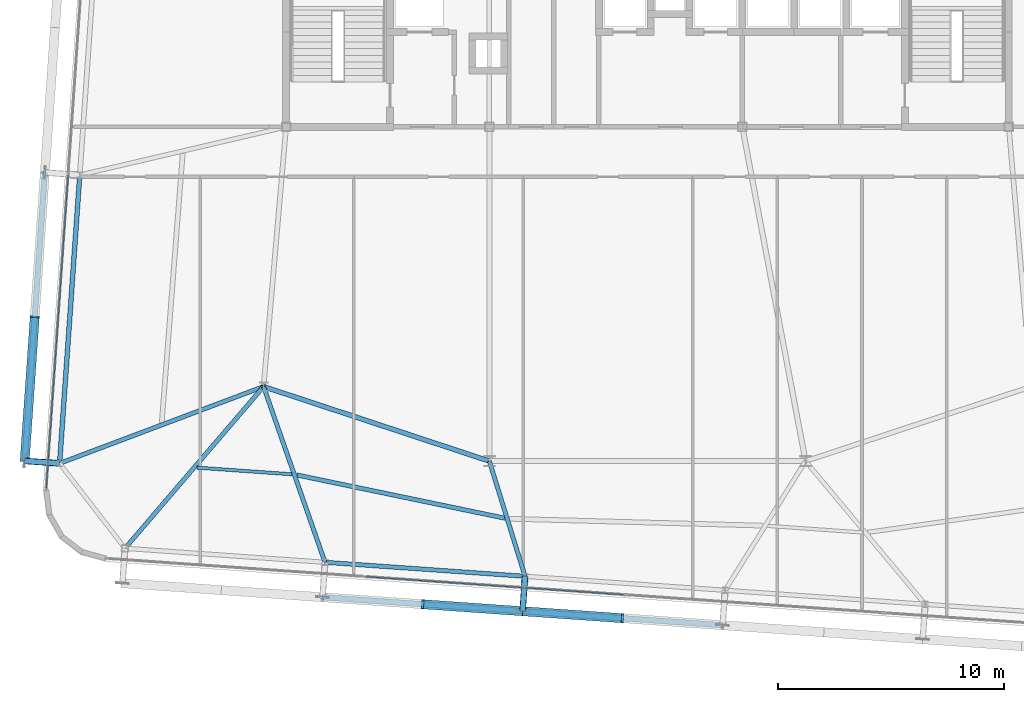
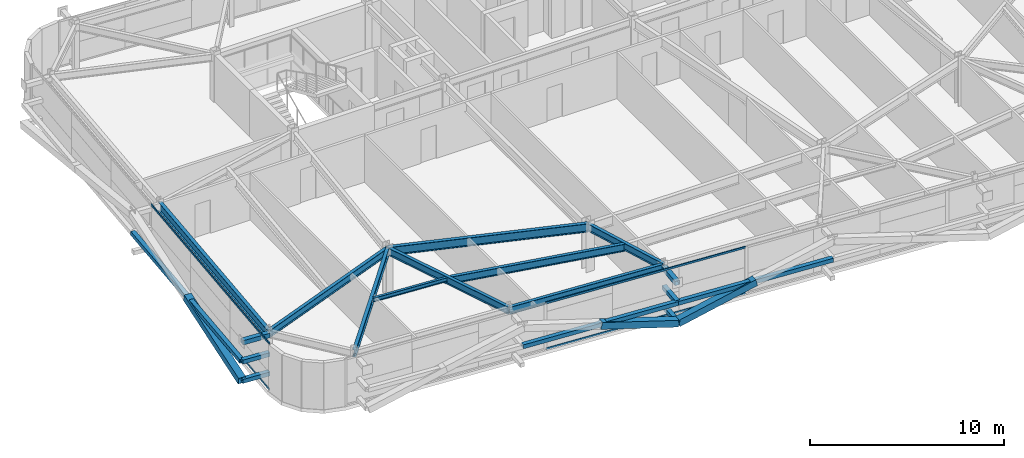
# One storey, part 8 of 39: 16 members, 9 beams, 2 elements without a shape of their own.
"""IFC4 building model written with IfcOpenShell, lengths in metres."""

from ifc_helpers import new_model, si_unit, direction, frame, origin, origin_2d, place, context, subcontext, project, spatial, hollow_rectangle, i_section, extrude, source, transform, mapped, material, layer, layer_set, material_profile, profile_set, type_object, element, aggregate, save


model = new_model("IFC4")

# Units and contexts
model_context = context("Model", 3, precision=1e-05, world=origin(), true_north=direction((0.0, 1.0)))
body_context = subcontext(model_context, "Body", "Model", "MODEL_VIEW")
ifc_project = project(units=[si_unit("LENGTHUNIT", "METRE"), si_unit("AREAUNIT", "SQUARE_METRE"), si_unit("VOLUMEUNIT", "CUBIC_METRE"), si_unit("PLANEANGLEUNIT", "RADIAN"), si_unit("MASSUNIT", "GRAM", prefix="KILO")], contexts=[model_context])

# Site, building, storey
site_placement = place(None, origin())
site = spatial("IfcSite", under=ifc_project, at=site_placement, CompositionType="ELEMENT")
building_placement = place(site_placement, origin())
building = spatial("IfcBuilding", under=site, at=building_placement, Name="Taldren Reach Tower", CompositionType="ELEMENT")
storey_placement = place(building_placement, frame((0.0, 0.0, 133.0)))
storey = spatial("IfcBuildingStorey", under=building, at=storey_placement, Name="L40", CompositionType="ELEMENT", Elevation=133.0)

# Beam
ifc_material_1 = material(Name="Steel Gr 350 (350PLUS)", Category="steel")
ifc_material_profile_1 = material_profile(ifc_material_1, i_section(OverallWidth=0.208984375, OverallDepth=0.532958984375, WebThickness=0.01025390625, FlangeThickness=0.015625, at=origin_2d()), Name="530UB92.4")
ifc_profile_set_1 = profile_set([ifc_material_profile_1], Name="Steel Gr 350 (350PLUS)")
beam_type_1 = type_object("IfcBeamType", Name="BM-UB530A", PredefinedType="BEAM", material=ifc_profile_set_1)
shared_shape_1 = source(origin(), body_context, "Body", "SweptSolid", [
    extrude(i_section(OverallWidth=0.208984375, OverallDepth=0.532958984375, WebThickness=0.01025390625, FlangeThickness=0.015625, at=origin_2d()), origin(), (0.0, 0.0, 1.0), 10.530517578125),
])
beam_1_placement = place(storey_placement, frame((18.0, 12.5, 2.66357421875), z_axis=(0.949627269203, -0.313381635689, 0.0), x_axis=(0.313381635689, 0.949627269203, 0.0)))
element("IfcBeam", 1, at=beam_1_placement, inside=storey, type_object=beam_type_1, Name="Core-spine girder L40-SP10", PredefinedType="BEAM", context=body_context, shape_type="MappedRepresentation", body=[
    mapped(shared_shape_1, transform((0.0, 0.0, 0.0), scale=1.0)),
])

# Members
ifc_material_2 = material(Name="Steel Gr 450 (C450L0)", Category="steel")
ifc_material_profile_2 = material_profile(ifc_material_2, hollow_rectangle(XDim=0.27490234375, YDim=0.27490234375, WallThickness=0.00927734375, at=origin_2d()), Name="275x275x9.3SHS")
ifc_profile_set_2 = profile_set([ifc_material_profile_2], Name="Steel Gr 450 (C450L0)")
member_type_1 = type_object("IfcMemberType", Name="MB-TIE273", PredefinedType="STRUT", material=ifc_profile_set_2)
shared_shape_2 = source(origin(), body_context, "Body", "SweptSolid", [
    extrude(hollow_rectangle(XDim=0.27490234375, YDim=0.27490234375, WallThickness=0.00927734375, at=origin_2d()), origin(), (0.0, 0.0, 1.0), 1.5498046875),
])
member_1_placement = place(storey_placement, frame((8.96875, 9.099609375, 2.64990234375), z_axis=(-0.997573320145, 0.069623781384, 0.0), x_axis=(-0.069623781384, -0.997573320145, 0.0)))
element("IfcMember", 2, at=member_1_placement, inside=storey, type_object=member_type_1, Name="Exoskeleton diaphragm tie strut B3-W1 L40", PredefinedType="STRUT", context=body_context, shape_type="MappedRepresentation", body=[
    mapped(shared_shape_2, transform((0.0, 0.0, 0.0), scale=1.0)),
])
ifc_material_3 = material(Name="Steel Gr 350 (C350L0)", Category="steel")
ifc_material_profile_3 = material_profile(ifc_material_3, hollow_rectangle(XDim=0.25, YDim=0.25, WallThickness=0.010009765625, at=origin_2d()), Name="250x250x10.0SHS")
ifc_profile_set_3 = profile_set([ifc_material_profile_3], Name="Steel Gr 350 (C350L0)")
member_type_2 = type_object("IfcMemberType", Name="MB-POST250", PredefinedType="POST", material=ifc_profile_set_3)
shared_shape_3 = source(origin(), body_context, "Body", "SweptSolid", [
    extrude(hollow_rectangle(XDim=0.25, YDim=0.25, WallThickness=0.010009765625, at=origin_2d()), origin(), (0.0, 0.0, 1.0), 1.5498046875),
])
for number, where, z_axis, x_axis, name in (
    (3, (8.96875, 9.099609375, 0.219970703125), (-0.997573320145, 0.069623781384, 0.0), (-0.069623781384, -0.997573320145, 0.0), "Exoskeleton base diaphragm tie strut B3-W1 L40"),
    (4, (8.96875, 9.099609375, 1.43505859375), (-0.997573320145, 0.069623781384, 0.0), (-0.069623781384, -0.997573320145, 0.0), "Exoskeleton mid-tier diaphragm tie B3-W1 L40"),
):
    element("IfcMember", number, at=place(storey_placement, frame(where, z_axis=z_axis, x_axis=x_axis)), inside=storey, type_object=member_type_2, Name=name, PredefinedType="POST", context=body_context, shape_type="MappedRepresentation", body=[
        mapped(shared_shape_3, transform((0.0, 0.0, 0.0), scale=1.0)),
    ])
shared_shape_4 = source(origin(), body_context, "Body", "SweptSolid", [
    extrude(hollow_rectangle(XDim=0.27490234375, YDim=0.27490234375, WallThickness=0.00927734375, at=origin_2d()), origin(), (0.0, 0.0, 1.0), 1.550048828125),
])
member_2_placement = place(storey_placement, frame((29.580322265625, 4.099609375, 2.64990234375), z_axis=(-0.06976957191, -0.99756313426, 0.0), x_axis=(0.99756313426, -0.06976957191, 0.0)))
element("IfcMember", 5, at=member_2_placement, inside=storey, type_object=member_type_1, Name="Exoskeleton diaphragm tie strut B3-S3 L40", PredefinedType="STRUT", context=body_context, shape_type="MappedRepresentation", body=[
    mapped(shared_shape_4, transform((0.0, 0.0, 0.0), scale=1.0)),
])
shared_shape_5 = source(origin(), body_context, "Body", "SweptSolid", [
    extrude(hollow_rectangle(XDim=0.25, YDim=0.25, WallThickness=0.010009765625, at=origin_2d()), origin(), (0.0, 0.0, 1.0), 1.550048828125),
])
for number, where, z_axis, x_axis, name in (
    (6, (29.580322265625, 4.099609375, 0.219970703125), (-0.06976957191, -0.99756313426, 0.0), (0.99756313426, -0.06976957191, 0.0), "Exoskeleton base diaphragm tie strut B3-S3 L40"),
    (7, (29.580322265625, 4.099609375, 1.43505859375), (-0.06976957191, -0.99756313426, 0.0), (0.99756313426, -0.06976957191, 0.0), "Exoskeleton mid-tier diaphragm tie B3-S3 L40"),
):
    element("IfcMember", number, at=place(storey_placement, frame(where, z_axis=z_axis, x_axis=x_axis)), inside=storey, type_object=member_type_2, Name=name, PredefinedType="POST", context=body_context, shape_type="MappedRepresentation", body=[
        mapped(shared_shape_5, transform((0.0, 0.0, 0.0), scale=1.0)),
    ])

# Beams
ifc_material_profile_4 = material_profile(ifc_material_1, i_section(OverallWidth=0.18994140625, OverallDepth=0.4541015625, WebThickness=0.008544921875, FlangeThickness=0.0126953125, at=origin_2d()), Name="460UB67.1")
ifc_profile_set_4 = profile_set([ifc_material_profile_4], Name="Steel Gr 350 (350PLUS)")
beam_type_2 = type_object("IfcBeamType", Name="SP-UB460B", PredefinedType="SPANDREL", material=ifc_profile_set_4)
shared_shape_6 = source(origin(), body_context, "Body", "SweptSolid", [
    extrude(i_section(OverallWidth=0.18994140625, OverallDepth=0.4541015625, WebThickness=0.008544921875, FlangeThickness=0.0126953125, at=origin_2d()), origin(), (0.0, 0.0, 1.0), 8.880126953125),
])
beam_2_placement = place(storey_placement, frame((20.721923828125, 4.718994140625, 2.702880859375), z_axis=(0.997564479639, -0.069750333063, 0.0), x_axis=(0.069750333063, 0.997564479639, 0.0)))
element("IfcBeam", 8, at=beam_2_placement, inside=storey, type_object=beam_type_2, Name="Perimeter spandrel B3 S2-S3 L40", PredefinedType="SPANDREL", context=body_context, shape_type="MappedRepresentation", body=[
    mapped(shared_shape_6, transform((0.0, 0.0, 0.0), scale=1.0)),
])
ifc_material_profile_5 = material_profile(ifc_material_1, i_section(OverallWidth=0.208984375, OverallDepth=0.528076171875, WebThickness=0.009521484375, FlangeThickness=0.01318359375, at=origin_2d()), Name="530UB82.0")
ifc_profile_set_5 = profile_set([ifc_material_profile_5], Name="Steel Gr 350 (350PLUS)")
beam_type_3 = type_object("IfcBeamType", Name="SP-UB530B", PredefinedType="SPANDREL", material=ifc_profile_set_5)
shared_shape_7 = source(origin(), body_context, "Body", "SweptSolid", [
    extrude(i_section(OverallWidth=0.208984375, OverallDepth=0.528076171875, WebThickness=0.009521484375, FlangeThickness=0.01318359375, at=origin_2d()), origin(), (0.0, 0.0, 1.0), 12.800048828125),
])
beam_3_placement = place(storey_placement, frame((9.86181640625, 21.868408203125, 2.666015625), z_axis=(-0.069770857464, -0.997563044348, 0.0), x_axis=(0.997563044348, -0.069770857464, 0.0)))
element("IfcBeam", 9, at=beam_3_placement, inside=storey, type_object=beam_type_3, Name="Perimeter spandrel B3 W2-W1 L40", PredefinedType="SPANDREL", context=body_context, shape_type="MappedRepresentation", body=[
    mapped(shared_shape_7, transform((0.0, 0.0, 0.0), scale=1.0)),
])
ifc_material_profile_6 = material_profile(ifc_material_1, i_section(OverallWidth=0.19091796875, OverallDepth=0.4599609375, WebThickness=0.010009765625, FlangeThickness=0.01611328125, at=origin_2d()), Name="460UB82.1")
ifc_profile_set_6 = profile_set([ifc_material_profile_6], Name="Steel Gr 350 (350PLUS)")
beam_type_4 = type_object("IfcBeamType", Name="BM-UB460A", PredefinedType="BEAM", material=ifc_profile_set_6)
shared_shape_8 = source(origin(), body_context, "Body", "SweptSolid", [
    extrude(i_section(OverallWidth=0.19091796875, OverallDepth=0.4599609375, WebThickness=0.010009765625, FlangeThickness=0.01611328125, at=origin_2d()), origin(), (0.0, 0.0, 1.0), 9.43115234375),
])
beam_4_placement = place(storey_placement, frame((18.0, 12.5, 2.699951171875), z_axis=(-0.650665584965, -0.759364402999, 0.0), x_axis=(0.759364402999, -0.650665584965, 0.0)))
element("IfcBeam", 10, at=beam_4_placement, inside=storey, type_object=beam_type_4, Name="Primary floor girder B3-S1 L40", PredefinedType="BEAM", context=body_context, shape_type="MappedRepresentation", body=[
    mapped(shared_shape_8, transform((0.0, 0.0, 0.0), scale=1.0)),
])
shared_shape_9 = source(origin(), body_context, "Body", "SweptSolid", [
    extrude(i_section(OverallWidth=0.19091796875, OverallDepth=0.4599609375, WebThickness=0.010009765625, FlangeThickness=0.01611328125, at=origin_2d()), origin(), (0.0, 0.0, 1.0), 8.243408203125),
])
beam_5_placement = place(storey_placement, frame((18.0, 12.5, 2.699951171875), z_axis=(0.330196070713, -0.943912366105, 0.0), x_axis=(0.943912366105, 0.330196070713, 0.0)))
element("IfcBeam", 11, at=beam_5_placement, inside=storey, type_object=beam_type_4, Name="Primary floor girder B3-S2 L40", PredefinedType="BEAM", context=body_context, shape_type="MappedRepresentation", body=[
    mapped(shared_shape_9, transform((0.0, 0.0, 0.0), scale=1.0)),
])
shared_shape_10 = source(origin(), body_context, "Body", "SweptSolid", [
    extrude(i_section(OverallWidth=0.19091796875, OverallDepth=0.4599609375, WebThickness=0.010009765625, FlangeThickness=0.01611328125, at=origin_2d()), origin(), (0.0, 0.0, 1.0), 5.339599609375),
])
beam_6_placement = place(storey_placement, frame((28.0, 9.199951171875, 2.699951171875), z_axis=(0.295964865482, -0.955198826632, 0.0), x_axis=(0.955198826632, 0.295964865482, 0.0)))
element("IfcBeam", 12, at=beam_6_placement, inside=storey, type_object=beam_type_4, Name="Primary floor girder B3-S3 L40", PredefinedType="BEAM", context=body_context, shape_type="MappedRepresentation", body=[
    mapped(shared_shape_10, transform((0.0, 0.0, 0.0), scale=1.0)),
])
shared_shape_11 = source(origin(), body_context, "Body", "SweptSolid", [
    extrude(i_section(OverallWidth=0.19091796875, OverallDepth=0.4599609375, WebThickness=0.010009765625, FlangeThickness=0.01611328125, at=origin_2d()), origin(), (0.0, 0.0, 1.0), 9.650146484375),
])
beam_7_placement = place(storey_placement, frame((18.0, 12.5, 2.699951171875), z_axis=(-0.935862573906, -0.352365212191, 0.0), x_axis=(0.352365212191, -0.935862573906, 0.0)))
element("IfcBeam", 13, at=beam_7_placement, inside=storey, type_object=beam_type_4, Name="Primary floor girder B3-W1 L40", PredefinedType="BEAM", context=body_context, shape_type="MappedRepresentation", body=[
    mapped(shared_shape_11, transform((0.0, 0.0, 0.0), scale=1.0)),
])
ifc_material_4 = material(Name="Steel Gr 300 (300PLUS, 300 MPa)", Category="steel")
ifc_material_profile_7 = material_profile(ifc_material_4, i_section(OverallWidth=0.14599609375, OverallDepth=0.256103515625, WebThickness=0.00634765625, FlangeThickness=0.010986328125, at=origin_2d()), Name="250UB37.3")
ifc_profile_set_7 = profile_set([ifc_material_profile_7], Name="Steel Gr 300 (300PLUS, 300 MPa)")
beam_type_5 = type_object("IfcBeamType", Name="JS-UB250", PredefinedType="JOIST", material=ifc_profile_set_7)
shared_shape_12 = source(origin(), body_context, "Body", "SweptSolid", [
    extrude(i_section(OverallWidth=0.14599609375, OverallDepth=0.256103515625, WebThickness=0.00634765625, FlangeThickness=0.010986328125, at=origin_2d()), origin(), (0.0, 0.0, 1.0), 4.217041015625),
])
beam_8_placement = place(storey_placement, frame((15.050537109375, 8.910888671875, 2.802001953125), z_axis=(0.997563683226, -0.069761722378, 0.0), x_axis=(0.069761722378, 0.997563683226, 0.0)))
element("IfcBeam", 14, at=beam_8_placement, inside=storey, type_object=beam_type_5, Name="Secondary floor joist B3 J1 L40", PredefinedType="JOIST", context=body_context, shape_type="MappedRepresentation", body=[
    mapped(shared_shape_12, transform((0.0, 0.0, 0.0), scale=1.0)),
])
shared_shape_13 = source(origin(), body_context, "Body", "SweptSolid", [
    extrude(i_section(OverallWidth=0.19091796875, OverallDepth=0.4599609375, WebThickness=0.010009765625, FlangeThickness=0.01611328125, at=origin_2d()), origin(), (0.0, 0.0, 1.0), 9.410400390625),
])
beam_9_placement = place(storey_placement, frame((19.469970703125, 8.5869140625, 2.699951171875), z_axis=(0.97907399109, -0.20350459447, 0.0), x_axis=(0.20350459447, 0.97907399109, 0.0)))
element("IfcBeam", 15, at=beam_9_placement, inside=storey, type_object=beam_type_4, Name="Secondary floor beam B3 J2 L40", PredefinedType="BEAM", context=body_context, shape_type="MappedRepresentation", body=[
    mapped(shared_shape_13, transform((0.0, 0.0, 0.0), scale=1.0)),
])

# Members
shared_shape_14 = source(origin(), body_context, "Body", "SweptSolid", [
    extrude(hollow_rectangle(XDim=0.25, YDim=0.25, WallThickness=0.010009765625, at=origin_2d()), origin(), (0.0, 0.0, 1.0), 8.880126953125),
])
for number, where, z_axis, x_axis, name in (
    (16, (20.61376953125, 3.1728515625, 1.43505859375), (0.997562566276, -0.06977769246, 0.0), (0.06977769246, 0.997562566276, 0.0), "Exoskeleton mid-height ring chord B3-S2 L40"),
    (17, (29.47216796875, 2.55322265625, 1.43505859375), (0.997564479639, -0.069750333063, 0.0), (0.069750333063, 0.997564479639, 0.0), "Exoskeleton mid-height ring chord B3-S3 L40"),
):
    element("IfcMember", number, at=place(storey_placement, frame(where, z_axis=z_axis, x_axis=x_axis)), inside=storey, type_object=member_type_2, Name=name, PredefinedType="POST", context=body_context, shape_type="MappedRepresentation", body=[
        mapped(shared_shape_14, transform((0.0, 0.0, 0.0), scale=1.0)),
    ])
shared_shape_15 = source(origin(), body_context, "Body", "SweptSolid", [
    extrude(hollow_rectangle(XDim=0.25, YDim=0.25, WallThickness=0.010009765625, at=origin_2d()), origin(), (0.0, 0.0, 1.0), 12.80029296875),
])
member_3_placement = place(storey_placement, frame((7.422607421875, 9.20751953125, 1.43505859375), z_axis=(0.069750549628, 0.997564464497, 0.0), x_axis=(-0.997564464497, 0.069750549628, 0.0)))
element("IfcMember", 18, at=member_3_placement, inside=storey, type_object=member_type_2, Name="Exoskeleton mid-height ring chord B3-W1 L40", PredefinedType="POST", context=body_context, shape_type="MappedRepresentation", body=[
    mapped(shared_shape_15, transform((0.0, 0.0, 0.0), scale=1.0)),
])
ifc_material_profile_8 = material_profile(ifc_material_2, hollow_rectangle(XDim=0.409912109375, YDim=0.409912109375, WallThickness=0.01611328125, at=origin_2d()), Name="410x410x16.0SHS")
ifc_profile_set_8 = profile_set([ifc_material_profile_8], Name="Steel Gr 450 (C450L0)")
member_type_3 = type_object("IfcMemberType", Name="MB-EXO406", PredefinedType="BRACE", material=ifc_profile_set_8)
shared_shape_16 = source(origin(), body_context, "Body", "SweptSolid", [
    extrude(hollow_rectangle(XDim=0.409912109375, YDim=0.409912109375, WallThickness=0.01611328125, at=origin_2d()), origin(), (0.0, 0.0, 1.0), 4.603271484375),
])
for number, where, z_axis, x_axis, name in (
    (19, (29.47216796875, 2.55322265625, 0.219970703125), (-0.962182351074, 0.067302910567, 0.263961060594), (-0.06977769246, -0.997562566276, 0.0), "Exoskeleton Diagrid Brace B3-S2 L40"),
    (20, (29.47216796875, 2.55322265625, 0.219970703125), (0.962185784239, -0.067250114343, 0.263962002434), (0.069722973508, 0.997566392259, 0.0), "Exoskeleton Diagrid Brace B3-S3 L40"),
):
    element("IfcMember", number, at=place(storey_placement, frame(where, z_axis=z_axis, x_axis=x_axis)), inside=storey, type_object=member_type_3, Name=name, PredefinedType="BRACE", context=body_context, shape_type="MappedRepresentation", body=[
        mapped(shared_shape_16, transform((0.0, 0.0, 0.0), scale=1.0)),
    ])
shared_shape_17 = source(origin(), body_context, "Body", "SweptSolid", [
    extrude(hollow_rectangle(XDim=0.409912109375, YDim=0.409912109375, WallThickness=0.01611328125, at=origin_2d()), origin(), (0.0, 0.0, 1.0), 6.514404296875),
])
member_4_placement = place(storey_placement, frame((7.422607421875, 9.20751953125, 0.219970703125), z_axis=(0.068545126831, 0.980056649402, 0.186522195865), x_axis=(-0.997563137195, 0.069769529958, 0.0)))
element("IfcMember", 21, at=member_4_placement, inside=storey, type_object=member_type_3, Name="Exoskeleton Diagrid Brace B3-W1 L40", PredefinedType="BRACE", context=body_context, shape_type="MappedRepresentation", body=[
    mapped(shared_shape_17, transform((0.0, 0.0, 0.0), scale=1.0)),
])

# Curtain wall, members
ifc_material_5 = material(Name="Aluminium and Low-E Glass Unitised System", Category="aluminium")
ifc_layer = layer(ifc_material_5, 0.159912109375)
ifc_layer_set = layer_set([ifc_layer], Name="Aluminium and Low-E Glass Unitised System")
curtain_wall_type = type_object("IfcCurtainWallType", Name="CW-SYS-4", PredefinedType="NOTDEFINED", material=ifc_layer_set)
curtain_wall_1_placement = place(storey_placement, origin())
curtain_wall_1 = element("IfcCurtainWall", 22, at=curtain_wall_1_placement, inside=storey, type_object=curtain_wall_type, Name="Unitised curtain wall CW-L40-S", PredefinedType="NOTDEFINED")
ifc_material_6 = material(Name="Anodised Aluminium 6063-T6", Category="aluminium")
ifc_material_profile_9 = material_profile(ifc_material_6, hollow_rectangle(XDim=0.054931640625, YDim=0.1201171875, WallThickness=0.0029296875, at=origin_2d()), Name="ALU-120x55x3RHS")
ifc_profile_set_9 = profile_set([ifc_material_profile_9], Name="Anodised Aluminium 6063-T6")
member_type_4 = type_object("IfcMemberType", Name="CW-TRN-135", PredefinedType="USERDEFINED", material=ifc_profile_set_9)
shared_shape_18 = source(origin(), body_context, "Body", "SweptSolid", [
    extrude(hollow_rectangle(XDim=0.054931640625, YDim=0.1201171875, WallThickness=0.0029296875, at=origin_2d()), origin(), (0.0, 0.0, 1.0), 11.429931640625),
])
member_5_placement = place(storey_placement, frame((22.536865234375, 4.080810546875, 0.027587890625), z_axis=(0.997563740938, -0.069760897114, 0.0), x_axis=(0.069760897114, 0.997563740938, 0.0)))
member_5 = element("IfcMember", 23, at=member_5_placement, type_object=member_type_4, Name="CW-4 transom 2.1", ObjectType="TRANSOM", PredefinedType="USERDEFINED", context=body_context, shape_type="MappedRepresentation", body=[
    mapped(shared_shape_18, transform((0.0, 0.0, 0.0), scale=1.0)),
])
member_6_placement = place(storey_placement, frame((22.536865234375, 4.080810546875, 2.902587890625), z_axis=(0.997563740938, -0.069760897114, 0.0), x_axis=(0.069760897114, 0.997563740938, 0.0)))
member_6 = element("IfcMember", 24, at=member_6_placement, type_object=member_type_4, Name="CW-4 transom 2.2", ObjectType="TRANSOM", PredefinedType="USERDEFINED", context=body_context, shape_type="MappedRepresentation", body=[
    mapped(shared_shape_18, transform((0.0, 0.0, 0.0), scale=1.0)),
])
aggregate(curtain_wall_1, [member_5, member_6])

curtain_wall_2_placement = place(storey_placement, origin())
curtain_wall_2 = element("IfcCurtainWall", 25, at=curtain_wall_2_placement, inside=storey, type_object=curtain_wall_type, Name="Unitised curtain wall CW-L40-W", PredefinedType="NOTDEFINED")
shared_shape_19 = source(origin(), body_context, "Body", "SweptSolid", [
    extrude(hollow_rectangle(XDim=0.054931640625, YDim=0.1201171875, WallThickness=0.0029296875, at=origin_2d()), origin(), (0.0, 0.0, 1.0), 13.89501953125),
])
member_7_placement = place(storey_placement, frame((9.3505859375, 21.868896484375, 0.027587890625), z_axis=(-0.069754817075, -0.997564166104, 0.0), x_axis=(0.997564166104, -0.069754817075, 0.0)))
member_7 = element("IfcMember", 26, at=member_7_placement, type_object=member_type_4, Name="CW-4 transom 2.1", ObjectType="TRANSOM", PredefinedType="USERDEFINED", context=body_context, shape_type="MappedRepresentation", body=[
    mapped(shared_shape_19, transform((0.0, 0.0, 0.0), scale=1.0)),
])
member_8_placement = place(storey_placement, frame((9.3505859375, 21.868896484375, 2.902587890625), z_axis=(-0.069754817075, -0.997564166104, 0.0), x_axis=(0.997564166104, -0.069754817075, 0.0)))
member_8 = element("IfcMember", 27, at=member_8_placement, type_object=member_type_4, Name="CW-4 transom 2.2", ObjectType="TRANSOM", PredefinedType="USERDEFINED", context=body_context, shape_type="MappedRepresentation", body=[
    mapped(shared_shape_19, transform((0.0, 0.0, 0.0), scale=1.0)),
])
aggregate(curtain_wall_2, [member_7, member_8])

save(model, "model.ifc")
